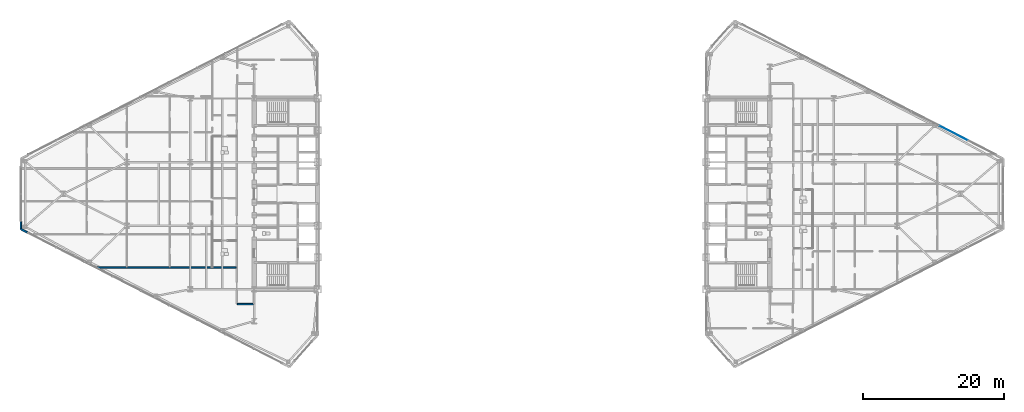
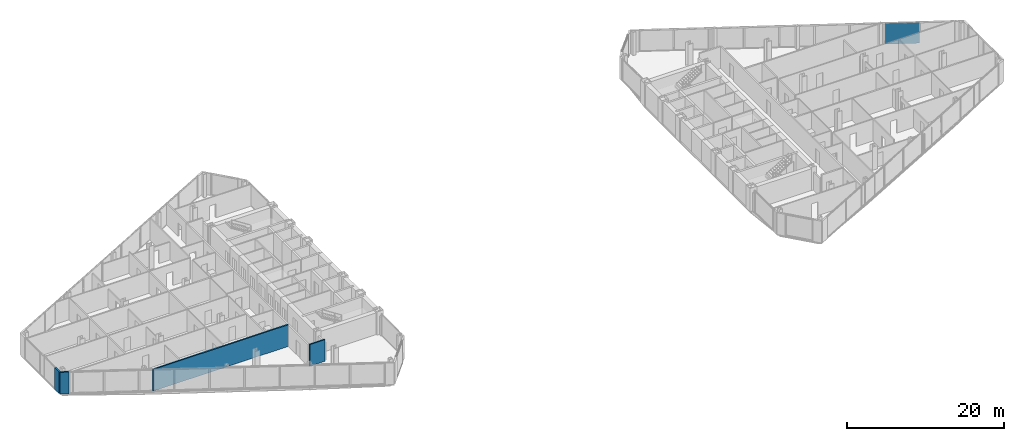
# One storey, part 15 of 24: 4 walls, 1 plate, 1 element without a shape of its own.
"""IFC4 building model written with IfcOpenShell, lengths in metres."""

from ifc_helpers import new_model, si_unit, direction, frame, frame_2d, origin, origin_2d, place, context, subcontext, project, spatial, rectangle, extrude, source, transform, mapped, material, layer, layer_set, type_object, type_shapes, element, aggregate, save


model = new_model("IFC4")

# Units and contexts
model_context = context("Model", 3, precision=1e-05, world=origin(), true_north=direction((0.0, 1.0)))
body_context = subcontext(model_context, "Body", "Model", "MODEL_VIEW")
ifc_project = project(units=[si_unit("LENGTHUNIT", "METRE"), si_unit("AREAUNIT", "SQUARE_METRE"), si_unit("VOLUMEUNIT", "CUBIC_METRE"), si_unit("PLANEANGLEUNIT", "RADIAN"), si_unit("MASSUNIT", "GRAM", prefix="KILO")], contexts=[model_context])

# Site, building, storey
site_placement = place(None, origin())
site = spatial("IfcSite", under=ifc_project, at=site_placement, CompositionType="ELEMENT")
building_placement = place(site_placement, origin())
building = spatial("IfcBuilding", under=site, at=building_placement, Name="Seokmaru Belvedere", CompositionType="ELEMENT")
storey_placement = place(building_placement, frame((0.0, 0.0, 124.800048828125)))
storey = spatial("IfcBuildingStorey", under=building, at=storey_placement, Name="L33", CompositionType="ELEMENT", Elevation=124.800048828125)

# Curtain wall, plate
ifc_material_1 = material(Name="Bronze Triple Insulating Glass", Category="glass")
ifc_layer_1 = layer(ifc_material_1, 0.195068359375)
ifc_layer_set_1 = layer_set([ifc_layer_1], Name="Bronze Triple Insulating Glass")
curtain_wall_type = type_object("IfcCurtainWallType", Name="Sky-Lobby and Mid-Rise Curtain Wall System CW-4", PredefinedType="NOTDEFINED", material=ifc_layer_set_1)
curtain_wall_placement = place(storey_placement, origin())
curtain_wall = element("IfcCurtainWall", 1, at=curtain_wall_placement, inside=storey, type_object=curtain_wall_type, Name="L33 Curtain Wall EF3", PredefinedType="NOTDEFINED")
ifc_layer_2 = layer(ifc_material_1, 0.035888671875)
ifc_layer_set_2 = layer_set([ifc_layer_2], Name="Bronze Triple Insulating Glass")
plate_type = type_object("IfcPlateType", Name="Bronze Triple Vision Glazing Panel 36", PredefinedType="CURTAIN_PANEL", material=ifc_layer_set_2)
shared_shape = source(origin(), body_context, "Body", "SweptSolid", [
    extrude(rectangle(XDim=4.420166015625, YDim=0.035888671875, at=origin_2d()), origin(), (0.0, 0.0, 1.0), 3.25),
])
type_shapes(plate_type, [shared_shape])
plate_placement = place(storey_placement, frame((62.484619140625, 8.60009765625, 0.06494140625), z_axis=(0.0, 0.0, 1.0), x_axis=(-0.889695432562, 0.456554528263, 0.0)))
plate = element("IfcPlate", 2, at=plate_placement, type_object=plate_type, Name="CW:L33:EF3 Glazing Panel 2-1", PredefinedType="CURTAIN_PANEL", context=body_context, shape_type="MappedRepresentation", body=[
    mapped(shared_shape, transform((0.0, 0.0, 0.0), scale=1.0)),
])
aggregate(curtain_wall, [plate])

# Walls
ifc_material_2 = material(Name="Fire-Rated Gypsum Shaftwall")
ifc_layer_3 = layer(ifc_material_2, 0.199951171875)
ifc_layer_set_3 = layer_set([ifc_layer_3], Name="Fire-Rated Gypsum Shaftwall")
wall_type_1 = type_object("IfcWallType", Name="Inter-Tenancy Fire Compartment Partition 200", PredefinedType="PARTITIONING", material=ifc_layer_set_3)
wall_1_placement = place(storey_placement, frame((-38.864990234375, -15.60009765625, 0.0), z_axis=(0.0, 0.0, 1.0), x_axis=(1.0, 0.0, 0.0)))
element("IfcWall", 3, at=wall_1_placement, inside=storey, type_object=wall_type_1, Name="L33 Interior Partition 002", PredefinedType="PARTITIONING", context=body_context, shape_type="SweptSolid", body=[
    extrude(rectangle(XDim=2.280029296875, YDim=0.199951171875, at=frame_2d((1.14013671875, 0.0))), origin(), (0.0, 0.0, 1.0), 3.3798828125),
])
wall_2_placement = place(storey_placement, frame((-58.988037109375, -10.39990234375, 0.0), z_axis=(0.0, 0.0, 1.0), x_axis=(1.0, 0.0, 0.0)))
element("IfcWall", 4, at=wall_2_placement, inside=storey, type_object=wall_type_1, Name="L33 Interior Partition 006", PredefinedType="PARTITIONING", context=body_context, shape_type="SweptSolid", body=[
    extrude(rectangle(XDim=19.9580078125, YDim=0.199951171875, at=frame_2d((9.97900390625, 0.0))), origin(), (0.0, 0.0, 1.0), 3.3798828125),
])
ifc_material_3 = material(Name="Anodised Bronze Aluminium", Category="aluminium")
ifc_layer_4 = layer(ifc_material_3, 0.239990234375)
ifc_layer_set_4 = layer_set([ifc_layer_4], Name="Anodised Bronze Aluminium")
wall_type_2 = type_object("IfcWallType", Name="Tower Corner Spandrel Closure Wall 240", PredefinedType="SOLIDWALL", material=ifc_layer_set_4)
wall_3_placement = place(storey_placement, frame((-69.5, -3.85009765625, 0.0), z_axis=(0.0, 0.0, 1.0), x_axis=(0.0, -1.0, 0.0)))
element("IfcWall", 5, at=wall_3_placement, inside=storey, type_object=wall_type_2, Name="L33 W Corner Closure Pier 4B", PredefinedType="SOLIDWALL", context=body_context, shape_type="SweptSolid", body=[
    extrude(rectangle(XDim=1.139892578125, YDim=0.239990234375, at=frame_2d((0.56982421875, 0.0))), origin(), (0.0, 0.0, 1.0), 3.3798828125),
])
wall_4_placement = place(storey_placement, frame((-69.4912109375, -5.004638671875, 0.0), z_axis=(0.0, 0.0, 1.0), x_axis=(0.889797395748, -0.456355776255, 0.0)))
element("IfcWall", 6, at=wall_4_placement, inside=storey, type_object=wall_type_2, Name="L33 W Corner Closure Pier 5A", PredefinedType="SOLIDWALL", context=body_context, shape_type="SweptSolid", body=[
    extrude(rectangle(XDim=1.14013671875, YDim=0.239990234375, at=frame_2d((0.570068359375, 0.0))), origin(), (0.0, 0.0, 1.0), 3.3798828125),
])

save(model, "model.ifc")
